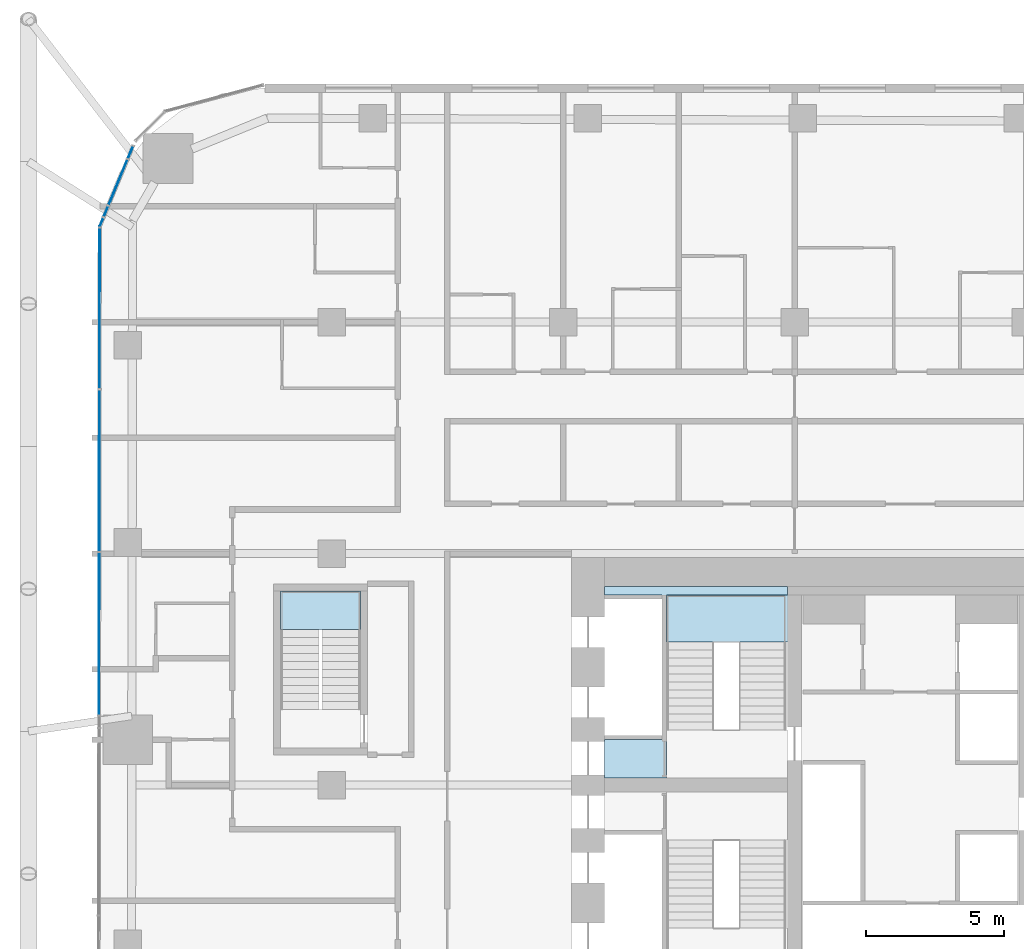
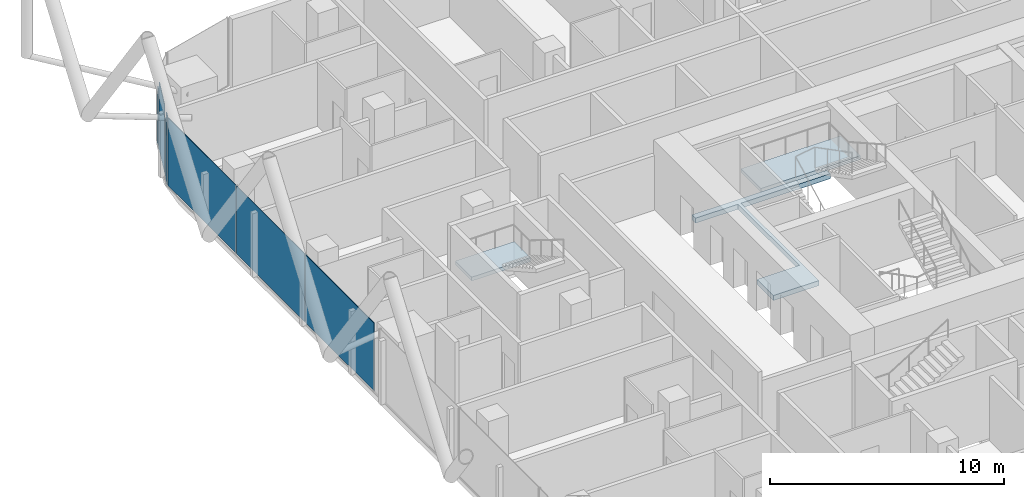
# One storey, part 25 of 38: 7 plates, 3 slabs, 7 elements without a shape of their own.
"""IFC4 building model written with IfcOpenShell, lengths in metres."""

from ifc_helpers import new_model, si_unit, direction, frame, origin, origin_2d, place, context, subcontext, project, spatial, polyline, rectangle, outline, extrude, material, layer, layer_set, type_object, element, aggregate, save


model = new_model("IFC4")

# Units and contexts
model_context = context("Model", 3, precision=1e-05, world=origin(), true_north=direction((0.0, 1.0)))
body_context = subcontext(model_context, "Body", "Model", "MODEL_VIEW")
ifc_project = project(units=[si_unit("LENGTHUNIT", "METRE"), si_unit("AREAUNIT", "SQUARE_METRE"), si_unit("VOLUMEUNIT", "CUBIC_METRE"), si_unit("PLANEANGLEUNIT", "RADIAN"), si_unit("MASSUNIT", "GRAM", prefix="KILO")], contexts=[model_context])

# Site, building, storey
site_placement = place(None, origin())
site = spatial("IfcSite", under=ifc_project, at=site_placement, CompositionType="ELEMENT")
building_placement = place(site_placement, origin())
building = spatial("IfcBuilding", under=site, at=building_placement, Name="Marenta Gate Hotel Tower", CompositionType="ELEMENT")
storey_placement = place(building_placement, frame((0.0, 0.0, 54.5)))
storey = spatial("IfcBuildingStorey", under=building, at=storey_placement, Name="L11", CompositionType="ELEMENT", Elevation=54.5)

# Slab
ifc_material_1 = material(Name="Concrete C40", Category="concrete")
ifc_layer_1 = layer(ifc_material_1, 0.260009765625)
ifc_layer_set_1 = layer_set([ifc_layer_1], Name="Concrete C40")
slab_type_1 = type_object("IfcSlabType", Name="Core floor slab 260", PredefinedType="FLOOR", material=ifc_layer_set_1)
slab_1_placement = place(storey_placement, frame((0.0, 0.0, -0.260009765625)))
element("IfcSlab", 1, at=slab_1_placement, inside=storey, type_object=slab_type_1, Name="L11-CF-6", PredefinedType="FLOOR", context=body_context, shape_type="SweptSolid", body=[
    extrude(outline(polyline([(-4.449951171875, 15.300048828125), (-8.85009765625, 15.300048828125), (-8.85009765625, 10.39990234375), (-8.85009765625, 8.699951171875), (-8.85009765625, 8.64990234375), (-11.10009765625, 8.64990234375), (-11.10009765625, 10.050048828125), (-9.0, 10.050048828125), (-9.0, 10.199951171875), (-9.0, 12.60009765625), (-9.0, 12.75), (-9.0, 15.14990234375), (-9.0, 15.300048828125), (-11.10009765625, 15.300048828125), (-11.10009765625, 15.60009765625), (-4.449951171875, 15.60009765625), (-4.449951171875, 15.300048828125)])), origin(), (0.0, 0.0, 1.0), 0.260009765625),
])

# Stair, slab
ifc_material_2 = material(Name="Concrete C40", Category="concrete")
stair_type_1 = type_object("IfcStairType", Name="Core exit stair 1700 wide", PredefinedType="HALF_TURN_STAIR", material=ifc_material_2)
stair_1_placement = place(storey_placement, origin())
stair_1 = element("IfcStair", 2, at=stair_1_placement, inside=storey, type_object=stair_type_1, Name="Exit stair 2", PredefinedType="HALF_TURN_STAIR")
ifc_material_3 = material(Name="Concrete C40", Category="concrete")
ifc_layer_2 = layer(ifc_material_3, 0.199951171875)
ifc_layer_set_2 = layer_set([ifc_layer_2], Name="Concrete C40")
slab_type_2 = type_object("IfcSlabType", Name="Core stair landing 200", PredefinedType="LANDING", material=ifc_layer_set_2)
slab_2_placement = place(storey_placement, frame((0.0, 0.0, 1.60009765625)))
slab_2 = element("IfcSlab", 3, at=slab_2_placement, type_object=slab_type_2, Name="SL-200 ST2 landing 1", PredefinedType="LANDING", context=body_context, shape_type="SweptSolid", body=[
    extrude(outline(polyline([(-8.85009765625, 13.590087890625), (-3.949951171875, 13.590087890625), (-3.949951171875, 15.300048828125), (-8.85009765625, 15.300048828125), (-8.85009765625, 13.590087890625)])), origin(), (0.0, 0.0, 1.0), 0.199951171875),
])
aggregate(stair_1, [slab_2])

# Curtain wall, plate
ifc_material_4 = material(Name="Tinted insulated glass in bronze anodised frame", Category="glass")
ifc_layer_3 = layer(ifc_material_4, 0.1201171875)
ifc_layer_set_3 = layer_set([ifc_layer_3], Name="Tinted insulated glass in bronze anodised frame")
curtain_wall_type = type_object("IfcCurtainWallType", Name="Tower unitised curtain wall CW1", PredefinedType="NOTDEFINED", material=ifc_layer_set_3)
curtain_wall_1_placement = place(storey_placement, origin())
curtain_wall_1 = element("IfcCurtainWall", 4, at=curtain_wall_1_placement, inside=storey, type_object=curtain_wall_type, Name="CW1 run G02", PredefinedType="NOTDEFINED")
ifc_material_5 = material(Name="Tinted insulated glass", Category="glass")
ifc_layer_4 = layer(ifc_material_5, 0.028076171875)
ifc_layer_set_4 = layer_set([ifc_layer_4], Name="Tinted insulated glass")
plate_type = type_object("IfcPlateType", Name="Glass panel CW1 28 mm tinted insulated unit", PredefinedType="CURTAIN_PANEL", material=ifc_layer_set_4)
plate_1_placement = place(storey_placement, frame((-28.29736328125, 31.35791015625, 0.06005859375), z_axis=(0.0, 0.0, 1.0), x_axis=(-0.382684306245, -0.923879170538, 0.0)))
plate_1 = element("IfcPlate", 5, at=plate_1_placement, type_object=plate_type, Name="CW1 panel 1.1", PredefinedType="CURTAIN_PANEL", context=body_context, shape_type="SweptSolid", body=[
    extrude(rectangle(XDim=0.46240234375, YDim=0.028076171875, at=origin_2d()), origin(), (0.0, 0.0, 1.0), 2.9404296875),
])
aggregate(curtain_wall_1, [plate_1])

curtain_wall_2_placement = place(storey_placement, origin())
curtain_wall_2 = element("IfcCurtainWall", 6, at=curtain_wall_2_placement, inside=storey, type_object=curtain_wall_type, Name="CW1 run G03", PredefinedType="NOTDEFINED")
plate_2_placement = place(storey_placement, frame((-28.7470703125, 30.272216796875, 0.06005859375), z_axis=(0.0, 0.0, 1.0), x_axis=(-0.382683619138, -0.923879455147, 0.0)))
plate_2 = element("IfcPlate", 7, at=plate_2_placement, type_object=plate_type, Name="CW1 panel 1.1", PredefinedType="CURTAIN_PANEL", context=body_context, shape_type="SweptSolid", body=[
    extrude(rectangle(XDim=1.767578125, YDim=0.028076171875, at=origin_2d()), origin(), (0.0, 0.0, 1.0), 3.5400390625),
])
aggregate(curtain_wall_2, [plate_2])

curtain_wall_3_placement = place(storey_placement, origin())
curtain_wall_3 = element("IfcCurtainWall", 8, at=curtain_wall_3_placement, inside=storey, type_object=curtain_wall_type, Name="CW1 run G04", PredefinedType="NOTDEFINED")
plate_3_placement = place(storey_placement, frame((-29.184814453125, 29.215576171875, 0.06005859375), z_axis=(0.0, 0.0, 1.0), x_axis=(-0.382838458625, -0.923815303293, 0.0)))
plate_3 = element("IfcPlate", 9, at=plate_3_placement, type_object=plate_type, Name="CW1 panel 1.1", PredefinedType="CURTAIN_PANEL", context=body_context, shape_type="SweptSolid", body=[
    extrude(rectangle(XDim=0.399658203125, YDim=0.028076171875, at=origin_2d()), origin(), (0.0, 0.0, 1.0), 2.9404296875),
])
aggregate(curtain_wall_3, [plate_3])

curtain_wall_4_placement = place(storey_placement, origin())
curtain_wall_4 = element("IfcCurtainWall", 10, at=curtain_wall_4_placement, inside=storey, type_object=curtain_wall_type, Name="CW1 run G05", PredefinedType="NOTDEFINED")
plate_4_placement = place(storey_placement, frame((-29.348388671875, 28.82080078125, 0.06005859375), z_axis=(0.0, 0.0, 1.0), x_axis=(-0.382456188848, -0.923973627119, 0.0)))
plate_4 = element("IfcPlate", 11, at=plate_4_placement, type_object=plate_type, Name="CW1 panel 1.1", PredefinedType="CURTAIN_PANEL", context=body_context, shape_type="SweptSolid", body=[
    extrude(rectangle(XDim=0.334716796875, YDim=0.028076171875, at=origin_2d()), origin(), (0.0, 0.0, 1.0), 3.5400390625),
])
aggregate(curtain_wall_4, [plate_4])

# Curtain wall, plates
curtain_wall_5_placement = place(storey_placement, origin())
curtain_wall_5 = element("IfcCurtainWall", 12, at=curtain_wall_5_placement, inside=storey, type_object=curtain_wall_type, Name="CW1 run G06", PredefinedType="NOTDEFINED")
plate_5_placement = place(storey_placement, frame((-29.4169921875, 25.7001953125, 0.06005859375), z_axis=(0.0, 0.0, 1.0), x_axis=(-0.001570149369, -0.999998767315, 0.0)))
plate_5 = element("IfcPlate", 13, at=plate_5_placement, type_object=plate_type, Name="CW1 panel 1.1", PredefinedType="CURTAIN_PANEL", context=body_context, shape_type="SweptSolid", body=[
    extrude(rectangle(XDim=5.811767578125, YDim=0.028076171875, at=origin_2d()), origin(), (0.0, 0.0, 1.0), 3.5400390625),
])
plate_6_placement = place(storey_placement, frame((-29.42626953125, 19.8134765625, 0.06005859375), z_axis=(0.0, 0.0, 1.0), x_axis=(-0.001570149369, -0.999998767315, 0.0)))
plate_6 = element("IfcPlate", 14, at=plate_6_placement, type_object=plate_type, Name="CW1 panel 2.1", PredefinedType="CURTAIN_PANEL", context=body_context, shape_type="SweptSolid", body=[
    extrude(rectangle(XDim=5.841796875, YDim=0.028076171875, at=origin_2d()), origin(), (0.0, 0.0, 1.0), 3.5400390625),
])
plate_7_placement = place(storey_placement, frame((-29.435546875, 13.896728515625, 0.06005859375), z_axis=(0.0, 0.0, 1.0), x_axis=(-0.001570149369, -0.999998767315, 0.0)))
plate_7 = element("IfcPlate", 15, at=plate_7_placement, type_object=plate_type, Name="CW1 panel 3.1", PredefinedType="CURTAIN_PANEL", context=body_context, shape_type="SweptSolid", body=[
    extrude(rectangle(XDim=5.871826171875, YDim=0.028076171875, at=origin_2d()), origin(), (0.0, 0.0, 1.0), 3.5400390625),
])
aggregate(curtain_wall_5, [plate_5, plate_6, plate_7])

# Stair, slab
ifc_material_6 = material(Name="Concrete C40", Category="concrete")
stair_type_2 = type_object("IfcStairType", Name="Remote exit stair 1400 wide", PredefinedType="HALF_TURN_STAIR", material=ifc_material_6)
stair_2_placement = place(storey_placement, origin())
stair_2 = element("IfcStair", 16, at=stair_2_placement, inside=storey, type_object=stair_type_2, Name="Exit stair RS-Z1-3", PredefinedType="HALF_TURN_STAIR")
ifc_material_7 = material(Name="Concrete C40", Category="concrete")
ifc_layer_5 = layer(ifc_material_7, 0.199951171875)
ifc_layer_set_5 = layer_set([ifc_layer_5], Name="Concrete C40")
slab_type_3 = type_object("IfcSlabType", Name="Remote stair landing 200", PredefinedType="LANDING", material=ifc_layer_set_5)
slab_3_placement = place(storey_placement, frame((0.0, 0.0, 1.60009765625)))
slab_3 = element("IfcSlab", 17, at=slab_3_placement, type_object=slab_type_3, Name="RL-200 RS-Z1-3 landing 1", PredefinedType="LANDING", context=body_context, shape_type="SweptSolid", body=[
    extrude(outline(polyline([(-22.85009765625, 14.050048828125), (-19.949951171875, 14.050048828125), (-19.949951171875, 15.449951171875), (-22.85009765625, 15.449951171875), (-22.85009765625, 14.050048828125)])), origin(), (0.0, 0.0, 1.0), 0.199951171875),
])
aggregate(stair_2, [slab_3])

save(model, "model.ifc")
